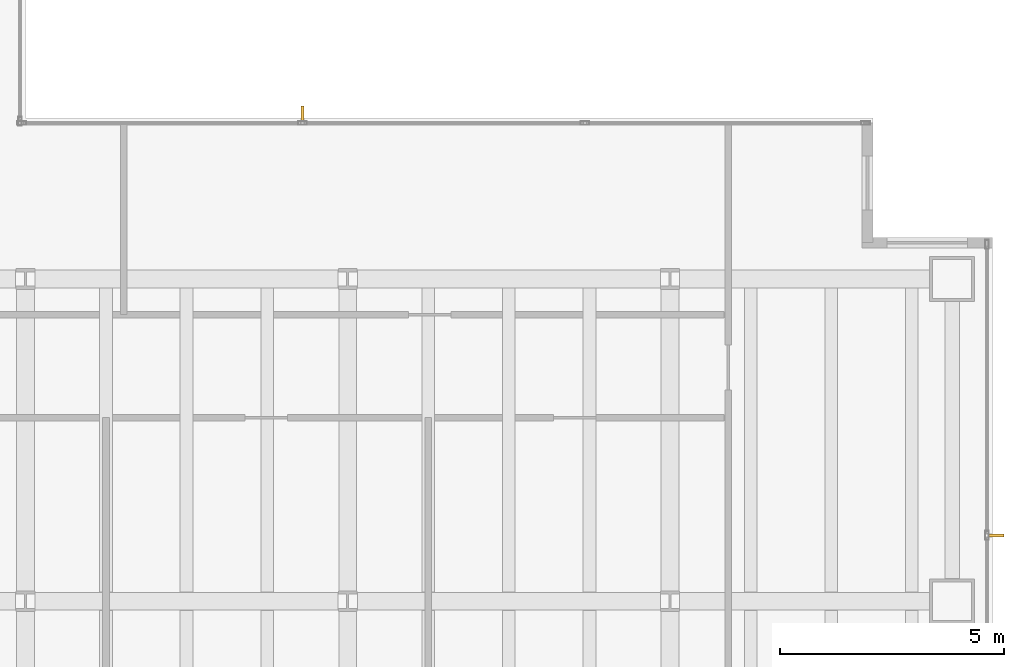
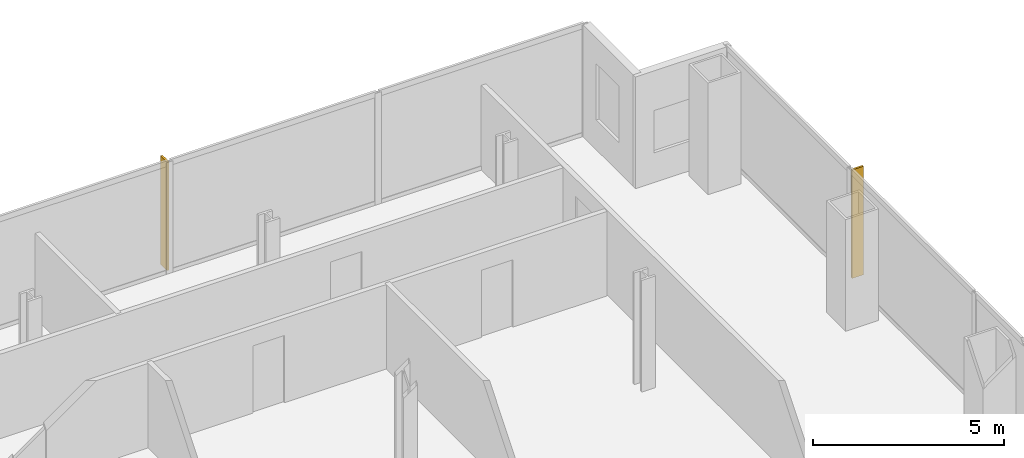
# One storey, part 24 of 25: 2 shading devices.
"""IFC4 building model written with IfcOpenShell, lengths in metres."""

from ifc_helpers import new_model, si_unit, direction, frame, origin, place, context, subcontext, project, spatial, polyline, outline, extrude, material, layer, layer_set, type_object, element, save


model = new_model("IFC4")

# Units and contexts
model_context = context("Model", 3, precision=1e-05, world=origin(), true_north=direction((0.0, 1.0)))
body_context = subcontext(model_context, "Body", "Model", "MODEL_VIEW")
ifc_project = project(units=[si_unit("LENGTHUNIT", "METRE"), si_unit("AREAUNIT", "SQUARE_METRE"), si_unit("VOLUMEUNIT", "CUBIC_METRE"), si_unit("PLANEANGLEUNIT", "RADIAN"), si_unit("MASSUNIT", "GRAM", prefix="KILO")], contexts=[model_context])

# Site, building, storey
site_placement = place(None, origin())
site = spatial("IfcSite", under=ifc_project, at=site_placement, CompositionType="ELEMENT")
building_placement = place(site_placement, origin())
building = spatial("IfcBuilding", under=site, at=building_placement, Name="Cobrela Telecom Tower", CompositionType="ELEMENT")
storey_placement = place(building_placement, frame((0.0, 0.0, 58.10009765625)))
storey = spatial("IfcBuildingStorey", under=building, at=storey_placement, Name="L14", CompositionType="ELEMENT", Elevation=58.10009765625)

# Shading devices
ifc_material = material(Name="Anodized Bronze Aluminium 6063-T6", Category="aluminium")
ifc_layer = layer(ifc_material, 0.06005859375)
ifc_layer_set = layer_set([ifc_layer], Name="Anodized Bronze Aluminium 6063-T6")
shading_device_type = type_object("IfcShadingDeviceType", Name="SHD-FIN-BRZ", PredefinedType="USERDEFINED", material=ifc_layer_set)
shading_device_1_placement = place(storey_placement, frame((0.0, 0.0, 0.0498046875)))
element("IfcShadingDevice", 1, at=shading_device_1_placement, inside=storey, type_object=shading_device_type, Name="L14 Anodized Bronze Solar Fin 23", ObjectType="SUNSHADE", PredefinedType="USERDEFINED", context=body_context, shape_type="SweptSolid", body=[
    extrude(outline(polyline([(34.9599609375, 25.1201171875), (35.02001953125, 25.1201171875), (35.02001953125, 25.4599609375), (34.9599609375, 25.4599609375), (34.9599609375, 25.1201171875)])), origin(), (0.0, 0.0, 1.0), 3.47021484375),
])
shading_device_2_placement = place(storey_placement, frame((0.0, 0.0, 0.0498046875)))
element("IfcShadingDevice", 2, at=shading_device_2_placement, inside=storey, type_object=shading_device_type, Name="L14 Anodized Bronze Solar Fin 24", ObjectType="SUNSHADE", PredefinedType="USERDEFINED", context=body_context, shape_type="SweptSolid", body=[
    extrude(outline(polyline([(50.320068359375, 15.89990234375), (50.320068359375, 15.840087890625), (50.659912109375, 15.840087890625), (50.659912109375, 15.89990234375), (50.320068359375, 15.89990234375)])), origin(), (0.0, 0.0, 1.0), 3.47021484375),
])

save(model, "model.ifc")
